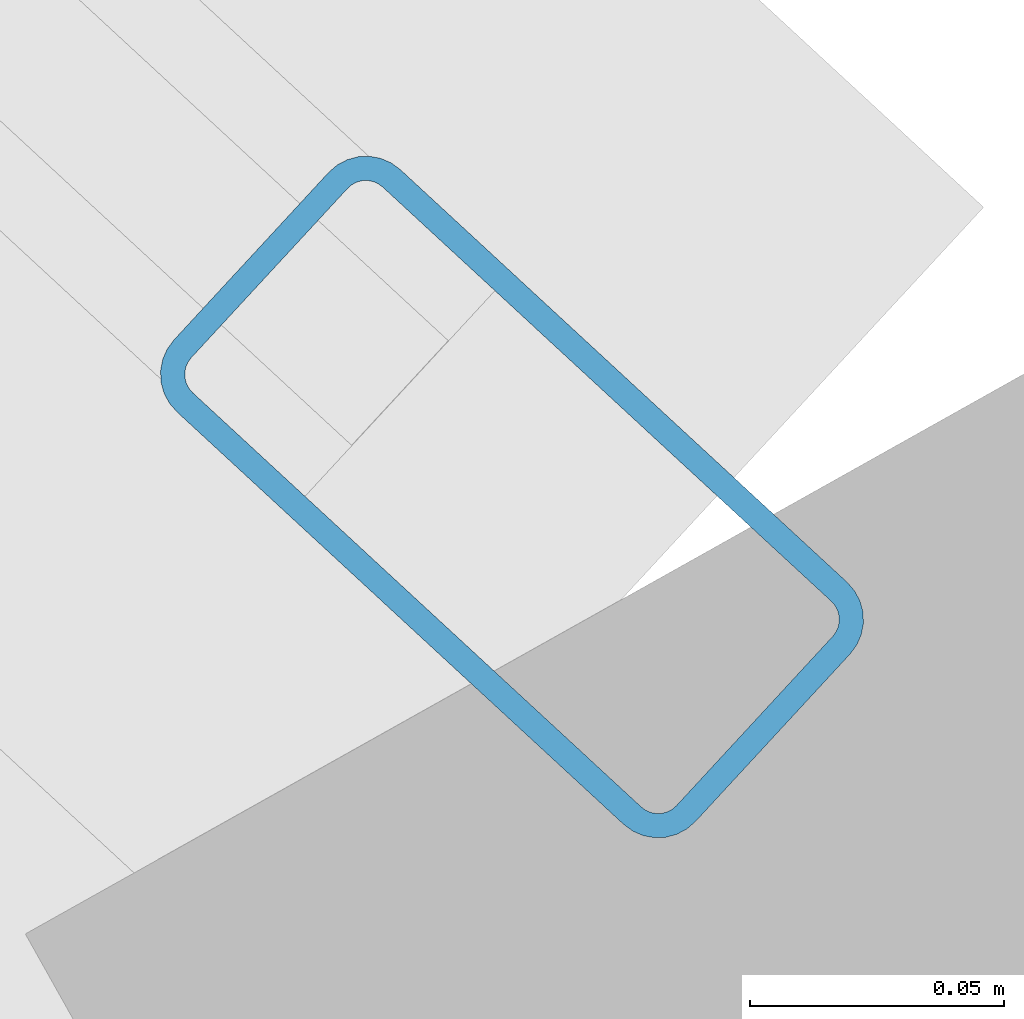
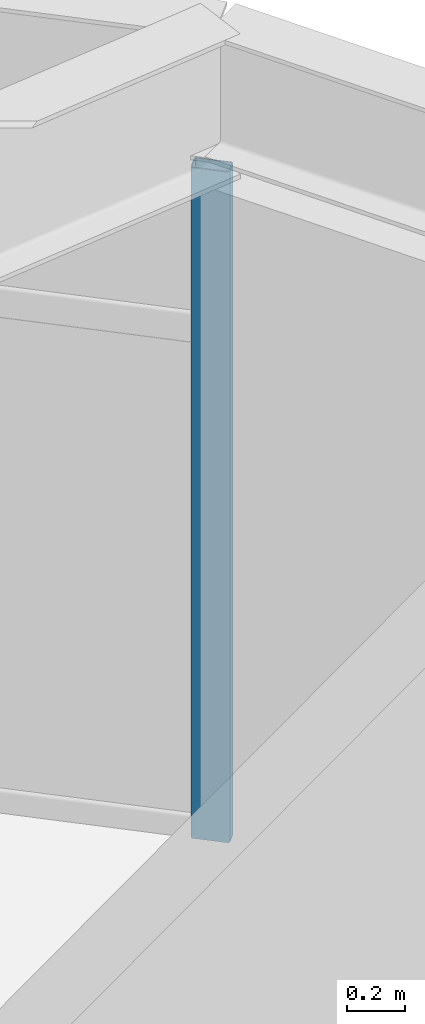
# One storey, part 13 of 25: 1 member, 1 element without a shape of its own.
"""IFC4 building model written with IfcOpenShell, lengths in metres."""

import ifcopenshell
import ifcopenshell.guid

model = None  # the IFC model being written
_history = None  # IfcOwnerHistory: only IFC2X3 demands one
_inside = {}  # id of a spatial element -> (the spatial element, [elements in it])
_under = {}  # id of a project, library or spatial element -> (it, [spatial elements below it])
_declared = {}  # id of a project -> (the project, [libraries it declares])
_typed = {}  # id of a type object -> (the type object, [elements of that type])
_made_of = {}  # id of a material, layer set ... -> (it, [elements and type objects made of it])


def new_model(schema):
    """Start an empty IFC model of exactly this schema.

    Asked for "IFC4X3", IfcOpenShell would pick the latest addendum, in which some entities
    have other attributes; the version numbers below select the first issue.
    IFC2X3 requires an IfcOwnerHistory on every rooted entity: one is made here for all.
    """
    global model, _history
    if schema == "IFC4X3":
        model = ifcopenshell.file(schema_version=(4, 3, 0, 0))
    else:
        model = ifcopenshell.file(schema=schema)
    _inside.clear()
    _under.clear()
    _declared.clear()
    _typed.clear()
    _made_of.clear()
    _history = None
    if model.schema == "IFC2X3":
        org = make("IfcOrganization", Name="unknown")
        user = make(
            "IfcPersonAndOrganization",
            ThePerson=make("IfcPerson", FamilyName="unknown"),
            TheOrganization=org,
        )
        app = make(
            "IfcApplication",
            ApplicationDeveloper=org,
            Version="unknown",
            ApplicationFullName="unknown",
            ApplicationIdentifier="unknown",
        )
        _history = make(
            "IfcOwnerHistory",
            OwningUser=user,
            OwningApplication=app,
            ChangeAction="ADDED",
            CreationDate=0,
        )
    return model


def make(cls, **values):
    """One entity of the class cls with the attributes given. An attribute that is None is left unset."""
    return model.create_entity(
        cls, **{name: value for name, value in values.items() if value is not None}
    )


def rooted(cls, **values):
    """An entity with a GlobalId (a new one), such as an element, a storey or a relation."""
    return make(cls, GlobalId=ifcopenshell.guid.new(), OwnerHistory=_history, **values)


def si_unit(unit_type, name, prefix=None):
    """IfcSIUnit, for example si_unit("LENGTHUNIT", "METRE", prefix="MILLI")."""
    return make("IfcSIUnit", UnitType=unit_type, Prefix=prefix, Name=name)


def assignment(units):
    """IfcUnitAssignment: the units of a project."""
    return None if units is None else make("IfcUnitAssignment", Units=units)


def point(xyz):
    """IfcCartesianPoint."""
    return None if xyz is None else make("IfcCartesianPoint", Coordinates=xyz)


def direction(xyz):
    """IfcDirection."""
    return None if xyz is None else make("IfcDirection", DirectionRatios=xyz)


def frame(location, z_axis=None, x_axis=None):
    """IfcAxis2Placement3D, a coordinate frame: its origin and axes. An axis left out is left unset."""
    return make(
        "IfcAxis2Placement3D",
        Location=point(location),
        Axis=direction(z_axis),
        RefDirection=direction(x_axis),
    )


def frame_2d(location, x_axis=None):
    """IfcAxis2Placement2D, a coordinate frame in the plane: its origin and x axis."""
    return make(
        "IfcAxis2Placement2D", Location=point(location), RefDirection=direction(x_axis)
    )


def origin():
    """The frame at (0, 0, 0) with its axes left unset."""
    return frame((0.0, 0.0, 0.0))


def origin_2d():
    """The frame at (0, 0) in the plane with its x axis left unset."""
    return frame_2d((0.0, 0.0))


def place(relative_to, where):
    """IfcLocalPlacement: puts the frame where relative to a parent placement (None: the world)."""
    return make(
        "IfcLocalPlacement", PlacementRelTo=relative_to, RelativePlacement=where
    )


def context(
    kind, dimensions, precision=None, world=None, true_north=None, identifier=None
):
    """IfcGeometricRepresentationContext, for example the 3D "Model" context."""
    return make(
        "IfcGeometricRepresentationContext",
        ContextIdentifier=identifier,
        ContextType=kind,
        CoordinateSpaceDimension=dimensions,
        Precision=precision,
        WorldCoordinateSystem=world,
        TrueNorth=true_north,
    )


def subcontext(parent, identifier, kind, view, scale=None):
    """IfcGeometricRepresentationSubContext, for example "Body" below "Model"."""
    return make(
        "IfcGeometricRepresentationSubContext",
        ContextIdentifier=identifier,
        ContextType=kind,
        ParentContext=parent,
        TargetScale=scale,
        TargetView=view,
    )


def project(units=None, contexts=None):
    """IfcProject with its units and contexts."""
    return rooted(
        "IfcProject",
        Name="project",
        RepresentationContexts=contexts,
        UnitsInContext=assignment(units),
    )


def spatial(cls, under=None, at=None, **own):
    """A site, building, storey or space (cls), placed at a placement, below another one or the project."""
    s = rooted(cls, ObjectPlacement=at, **own)
    if under is not None:
        _under.setdefault(under.id(), (under, []))[1].append(s)
    return s


def profile(cls, at=None, kind="AREA", **sizes):
    """A parametric profile (cls). Its sizes go by their IFC names, for example OverallWidth=200.0."""
    return make(cls, ProfileType=kind, Position=at, **sizes)


def hollow_rectangle(**sizes):
    """IfcRectangleHollowProfileDef."""
    return profile("IfcRectangleHollowProfileDef", **sizes)


def extrude(swept, where, along, depth):
    """IfcExtrudedAreaSolid: the profile swept, set in the frame where, extruded along a direction by depth."""
    return make(
        "IfcExtrudedAreaSolid",
        SweptArea=swept,
        Position=where,
        ExtrudedDirection=direction(along),
        Depth=depth,
    )


def shape(context_of_items, identifier, shape_type, items):
    """IfcShapeRepresentation: the items that make up one representation, for example the "Body"."""
    return make(
        "IfcShapeRepresentation",
        ContextOfItems=context_of_items,
        RepresentationIdentifier=identifier,
        RepresentationType=shape_type,
        Items=items,
    )


def material(Name=None, Category=None):
    """IfcMaterial."""
    return make("IfcMaterial", Name=Name, Category=Category)


def layer(
    of_material, thickness, ventilated=None, Name=None, Category=None, Priority=None
):
    """IfcMaterialLayer: one layer of a wall or slab, of a material (None: an air gap)."""
    return make(
        "IfcMaterialLayer",
        Material=of_material,
        LayerThickness=thickness,
        IsVentilated=ventilated,
        Name=Name,
        Category=Category,
        Priority=Priority,
    )


def layer_set(layers, Name=None):
    """IfcMaterialLayerSet."""
    return make("IfcMaterialLayerSet", MaterialLayers=layers, LayerSetName=Name)


def material_profile(
    of_material, cross_section, Name=None, Category=None, Priority=None
):
    """IfcMaterialProfile: a cross section and its material."""
    return make(
        "IfcMaterialProfile",
        Name=Name,
        Material=of_material,
        Profile=cross_section,
        Priority=Priority,
        Category=Category,
    )


def profile_set(profiles, Name=None, composite=None):
    """IfcMaterialProfileSet."""
    return make(
        "IfcMaterialProfileSet",
        Name=Name,
        MaterialProfiles=profiles,
        CompositeProfile=composite,
    )


def made_of(thing, what):
    """Note that an element or type object is made of a material, layer set ...; save() writes the relation."""
    if what is not None:
        _made_of.setdefault(what.id(), (what, []))[1].append(thing)
    return thing


def type_object(cls, material=None, **own):
    """A type object (cls), such as IfcWallType, which elements share."""
    return made_of(rooted(cls, **own), material)


def element(
    cls,
    number,
    at=None,
    inside=None,
    cuts=None,
    type_object=None,
    material=None,
    context=None,
    identifier="Body",
    shape_type=None,
    held_by="IfcProductDefinitionShape",
    body=None,
    shapes=None,
    **own,
):
    """One element of the class cls, such as IfcWall. Its Tag is "e" and its number.

    at: its placement. inside: the storey or other place that contains it. cuts: it is an
    opening in that element (IfcRelVoidsElement). A single representation is given by context,
    identifier, shape_type and body (its items); several are given by shapes. held_by: the class
    of the entity that holds the representations. save() writes the other relations.
    """
    e = rooted(cls, Tag="e%d" % number, ObjectPlacement=at, **own)
    if body is not None:
        shapes = [shape(context, identifier, shape_type, body)]
    if shapes is not None:
        e.Representation = make(held_by, Representations=shapes)
    if inside is not None:
        _inside.setdefault(inside.id(), (inside, []))[1].append(e)
    if cuts is not None:
        rooted(
            "IfcRelVoidsElement", RelatingBuildingElement=cuts, RelatedOpeningElement=e
        )
    if type_object is not None:
        _typed.setdefault(type_object.id(), (type_object, []))[1].append(e)
    return made_of(e, material)


def aggregate(whole, parts):
    """IfcRelAggregates: a whole, such as a stair, and the parts it consists of."""
    return rooted("IfcRelAggregates", RelatingObject=whole, RelatedObjects=parts)


def save(model, path):
    """Write the relations noted so far, then the file.

    IfcRelAggregates (storeys below a building ...), IfcRelContainedInSpatialStructure (elements
    in a storey), IfcRelDefinesByType, IfcRelAssociatesMaterial and IfcRelDeclares: one each for
    every whole, place, type object, material and project.
    """
    for whole, parts in _under.values():
        aggregate(whole, parts)
    for where, things in _inside.values():
        rooted(
            "IfcRelContainedInSpatialStructure",
            RelatedElements=things,
            RelatingStructure=where,
        )
    for kind, things in _typed.values():
        rooted("IfcRelDefinesByType", RelatedObjects=things, RelatingType=kind)
    for what, things in _made_of.values():
        rooted("IfcRelAssociatesMaterial", RelatedObjects=things, RelatingMaterial=what)
    for by, libraries in _declared.values():
        rooted("IfcRelDeclares", RelatingContext=by, RelatedDefinitions=libraries)
    model.write(path)


model = new_model("IFC4")

# Units and contexts
model_context = context("Model", 3, precision=1e-05, world=origin(), true_north=direction((0.0, 1.0)))
body_context = subcontext(model_context, "Body", "Model", "MODEL_VIEW")
ifc_project = project(units=[si_unit("LENGTHUNIT", "METRE"), si_unit("AREAUNIT", "SQUARE_METRE"), si_unit("VOLUMEUNIT", "CUBIC_METRE"), si_unit("PLANEANGLEUNIT", "RADIAN"), si_unit("MASSUNIT", "GRAM", prefix="KILO")], contexts=[model_context])

# Site, building, storey
site_placement = place(None, origin())
site = spatial("IfcSite", under=ifc_project, at=site_placement, CompositionType="ELEMENT")
building_placement = place(site_placement, origin())
building = spatial("IfcBuilding", under=site, at=building_placement, Name="Soratama Intermodal Tower", CompositionType="ELEMENT")
storey_placement = place(building_placement, frame((0.0, 0.0, 272.5)))
storey = spatial("IfcBuildingStorey", under=building, at=storey_placement, Name="L69", CompositionType="ELEMENT", Elevation=272.5)

# Curtain wall, member
ifc_material_1 = material(Name="Double-glazed aluminium curtain wall", Category="aluminium")
ifc_layer = layer(ifc_material_1, 0.159912109375)
ifc_layer_set = layer_set([ifc_layer], Name="Double-glazed aluminium curtain wall")
curtain_wall_type = type_object("IfcCurtainWallType", Name="CW-SYS-5", PredefinedType="NOTDEFINED", material=ifc_layer_set)
curtain_wall_placement = place(storey_placement, origin())
curtain_wall = element("IfcCurtainWall", 1, at=curtain_wall_placement, inside=storey, type_object=curtain_wall_type, Name="L69 Faceted Curtain Wall F10", PredefinedType="NOTDEFINED")
ifc_material_2 = material(Name="Anodised aluminium AA 6063-T6", Category="aluminium")
ifc_material_profile = material_profile(ifc_material_2, hollow_rectangle(XDim=0.06494140625, YDim=0.139892578125, WallThickness=0.0048828125, InnerFilletRadius=0.0048828125, OuterFilletRadius=0.010009765625, at=origin_2d()), Name="CWM140X65X5")
ifc_profile_set = profile_set([ifc_material_profile], Name="Anodised aluminium AA 6063-T6")
member_type = type_object("IfcMemberType", Name="MT-CWM-5", PredefinedType="MULLION", material=ifc_profile_set)
member_placement = place(storey_placement, frame((60.230224609375, 35.27294921875, 0.0), z_axis=(0.0, 0.0, 1.0), x_axis=(-0.678416910779, -0.734677136686, 0.0)))
member = element("IfcMember", 2, at=member_placement, type_object=member_type, Name="CW-5 mullion 1", PredefinedType="MULLION", context=body_context, shape_type="SweptSolid", body=[
    extrude(hollow_rectangle(XDim=0.06494140625, YDim=0.139892578125, WallThickness=0.0048828125, InnerFilletRadius=0.0048828125, OuterFilletRadius=0.010009765625, at=origin_2d()), origin(), (0.0, 0.0, 1.0), 2.8291015625),
])
aggregate(curtain_wall, [member])

save(model, "model.ifc")
